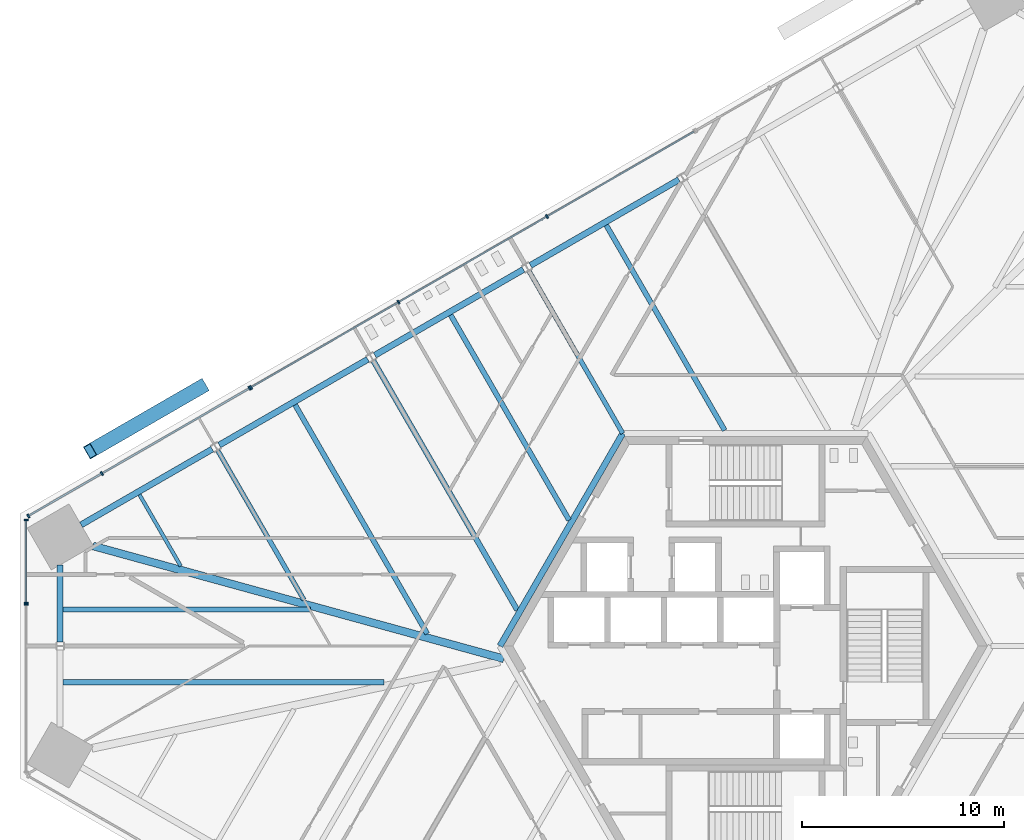
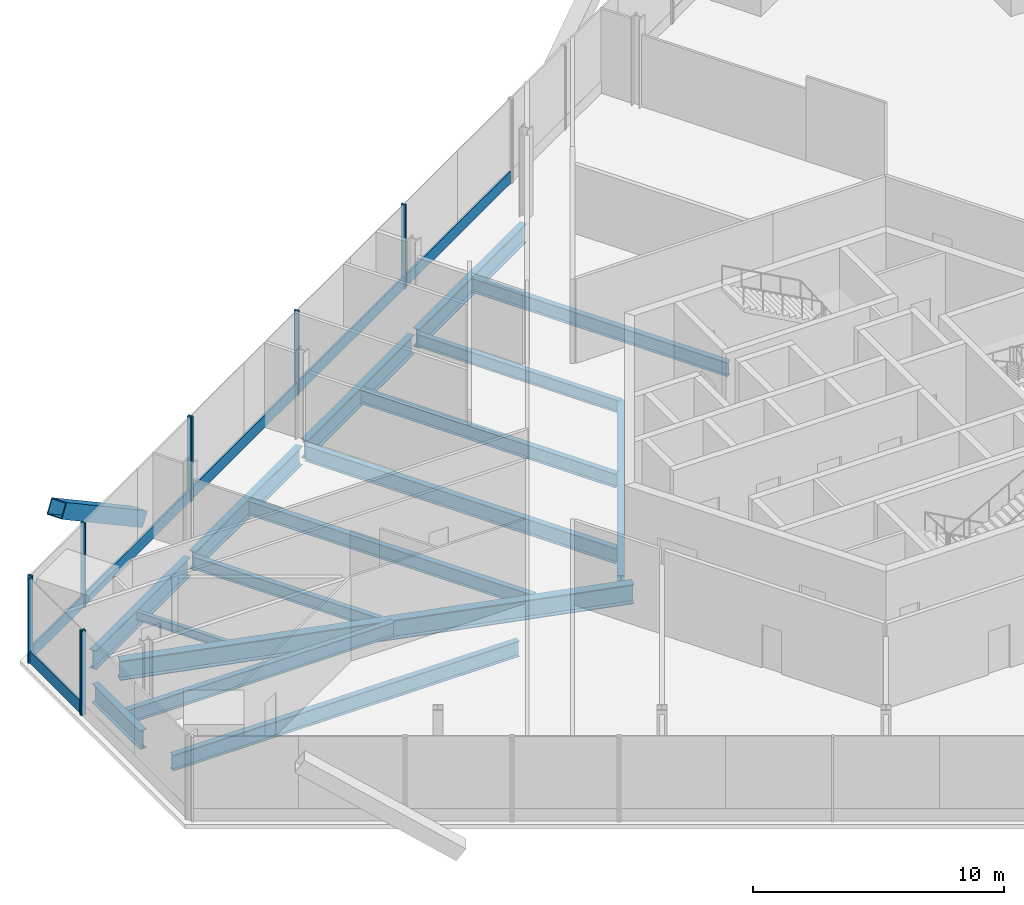
# One storey, part 6 of 17: 16 beams, 16 members, 4 elements without a shape of their own.
"""IFC4 building model written with IfcOpenShell, lengths in metres."""

import ifcopenshell
import ifcopenshell.guid

model = None  # the IFC model being written
_history = None  # IfcOwnerHistory: only IFC2X3 demands one
_inside = {}  # id of a spatial element -> (the spatial element, [elements in it])
_under = {}  # id of a project, library or spatial element -> (it, [spatial elements below it])
_declared = {}  # id of a project -> (the project, [libraries it declares])
_typed = {}  # id of a type object -> (the type object, [elements of that type])
_made_of = {}  # id of a material, layer set ... -> (it, [elements and type objects made of it])


def new_model(schema):
    """Start an empty IFC model of exactly this schema.

    Asked for "IFC4X3", IfcOpenShell would pick the latest addendum, in which some entities
    have other attributes; the version numbers below select the first issue.
    IFC2X3 requires an IfcOwnerHistory on every rooted entity: one is made here for all.
    """
    global model, _history
    if schema == "IFC4X3":
        model = ifcopenshell.file(schema_version=(4, 3, 0, 0))
    else:
        model = ifcopenshell.file(schema=schema)
    _inside.clear()
    _under.clear()
    _declared.clear()
    _typed.clear()
    _made_of.clear()
    _history = None
    if model.schema == "IFC2X3":
        org = make("IfcOrganization", Name="unknown")
        user = make(
            "IfcPersonAndOrganization",
            ThePerson=make("IfcPerson", FamilyName="unknown"),
            TheOrganization=org,
        )
        app = make(
            "IfcApplication",
            ApplicationDeveloper=org,
            Version="unknown",
            ApplicationFullName="unknown",
            ApplicationIdentifier="unknown",
        )
        _history = make(
            "IfcOwnerHistory",
            OwningUser=user,
            OwningApplication=app,
            ChangeAction="ADDED",
            CreationDate=0,
        )
    return model


def make(cls, **values):
    """One entity of the class cls with the attributes given. An attribute that is None is left unset."""
    return model.create_entity(
        cls, **{name: value for name, value in values.items() if value is not None}
    )


def rooted(cls, **values):
    """An entity with a GlobalId (a new one), such as an element, a storey or a relation."""
    return make(cls, GlobalId=ifcopenshell.guid.new(), OwnerHistory=_history, **values)


def si_unit(unit_type, name, prefix=None):
    """IfcSIUnit, for example si_unit("LENGTHUNIT", "METRE", prefix="MILLI")."""
    return make("IfcSIUnit", UnitType=unit_type, Prefix=prefix, Name=name)


def assignment(units):
    """IfcUnitAssignment: the units of a project."""
    return None if units is None else make("IfcUnitAssignment", Units=units)


def point(xyz):
    """IfcCartesianPoint."""
    return None if xyz is None else make("IfcCartesianPoint", Coordinates=xyz)


def direction(xyz):
    """IfcDirection."""
    return None if xyz is None else make("IfcDirection", DirectionRatios=xyz)


def frame(location, z_axis=None, x_axis=None):
    """IfcAxis2Placement3D, a coordinate frame: its origin and axes. An axis left out is left unset."""
    return make(
        "IfcAxis2Placement3D",
        Location=point(location),
        Axis=direction(z_axis),
        RefDirection=direction(x_axis),
    )


def frame_2d(location, x_axis=None):
    """IfcAxis2Placement2D, a coordinate frame in the plane: its origin and x axis."""
    return make(
        "IfcAxis2Placement2D", Location=point(location), RefDirection=direction(x_axis)
    )


def origin():
    """The frame at (0, 0, 0) with its axes left unset."""
    return frame((0.0, 0.0, 0.0))


def origin_2d():
    """The frame at (0, 0) in the plane with its x axis left unset."""
    return frame_2d((0.0, 0.0))


def place(relative_to, where):
    """IfcLocalPlacement: puts the frame where relative to a parent placement (None: the world)."""
    return make(
        "IfcLocalPlacement", PlacementRelTo=relative_to, RelativePlacement=where
    )


def context(
    kind, dimensions, precision=None, world=None, true_north=None, identifier=None
):
    """IfcGeometricRepresentationContext, for example the 3D "Model" context."""
    return make(
        "IfcGeometricRepresentationContext",
        ContextIdentifier=identifier,
        ContextType=kind,
        CoordinateSpaceDimension=dimensions,
        Precision=precision,
        WorldCoordinateSystem=world,
        TrueNorth=true_north,
    )


def subcontext(parent, identifier, kind, view, scale=None):
    """IfcGeometricRepresentationSubContext, for example "Body" below "Model"."""
    return make(
        "IfcGeometricRepresentationSubContext",
        ContextIdentifier=identifier,
        ContextType=kind,
        ParentContext=parent,
        TargetScale=scale,
        TargetView=view,
    )


def project(units=None, contexts=None):
    """IfcProject with its units and contexts."""
    return rooted(
        "IfcProject",
        Name="project",
        RepresentationContexts=contexts,
        UnitsInContext=assignment(units),
    )


def spatial(cls, under=None, at=None, **own):
    """A site, building, storey or space (cls), placed at a placement, below another one or the project."""
    s = rooted(cls, ObjectPlacement=at, **own)
    if under is not None:
        _under.setdefault(under.id(), (under, []))[1].append(s)
    return s


def profile(cls, at=None, kind="AREA", **sizes):
    """A parametric profile (cls). Its sizes go by their IFC names, for example OverallWidth=200.0."""
    return make(cls, ProfileType=kind, Position=at, **sizes)


def rectangle(**sizes):
    """IfcRectangleProfileDef."""
    return profile("IfcRectangleProfileDef", **sizes)


def hollow_rectangle(**sizes):
    """IfcRectangleHollowProfileDef."""
    return profile("IfcRectangleHollowProfileDef", **sizes)


def i_section(**sizes):
    """IfcIShapeProfileDef."""
    return profile("IfcIShapeProfileDef", **sizes)


def extrude(swept, where, along, depth):
    """IfcExtrudedAreaSolid: the profile swept, set in the frame where, extruded along a direction by depth."""
    return make(
        "IfcExtrudedAreaSolid",
        SweptArea=swept,
        Position=where,
        ExtrudedDirection=direction(along),
        Depth=depth,
    )


def shape(context_of_items, identifier, shape_type, items):
    """IfcShapeRepresentation: the items that make up one representation, for example the "Body"."""
    return make(
        "IfcShapeRepresentation",
        ContextOfItems=context_of_items,
        RepresentationIdentifier=identifier,
        RepresentationType=shape_type,
        Items=items,
    )


def source(mapping_origin, context_of_items, identifier, shape_type, items):
    """IfcRepresentationMap: a shape defined once, which mapped items show again and again."""
    return make(
        "IfcRepresentationMap",
        MappingOrigin=mapping_origin,
        MappedRepresentation=shape(context_of_items, identifier, shape_type, items),
    )


def transform(
    local_origin,
    x_axis=None,
    y_axis=None,
    z_axis=None,
    scale=None,
    scale2=None,
    scale3=None,
    uniform=True,
):
    """IfcCartesianTransformationOperator3D, or its non-uniform kind. x_axis, y_axis, z_axis: its Axis1, 2, 3."""
    if uniform:
        return make(
            "IfcCartesianTransformationOperator3D",
            Axis1=direction(x_axis),
            Axis2=direction(y_axis),
            LocalOrigin=point(local_origin),
            Scale=scale,
            Axis3=direction(z_axis),
        )
    return make(
        "IfcCartesianTransformationOperator3DnonUniform",
        Axis1=direction(x_axis),
        Axis2=direction(y_axis),
        LocalOrigin=point(local_origin),
        Scale=scale,
        Axis3=direction(z_axis),
        Scale2=scale2,
        Scale3=scale3,
    )


def mapped(mapping_source, mapping_target):
    """IfcMappedItem: shows the shape of a source again, moved by a transform."""
    return make(
        "IfcMappedItem", MappingSource=mapping_source, MappingTarget=mapping_target
    )


def material(Name=None, Category=None):
    """IfcMaterial."""
    return make("IfcMaterial", Name=Name, Category=Category)


def material_profile(
    of_material, cross_section, Name=None, Category=None, Priority=None
):
    """IfcMaterialProfile: a cross section and its material."""
    return make(
        "IfcMaterialProfile",
        Name=Name,
        Material=of_material,
        Profile=cross_section,
        Priority=Priority,
        Category=Category,
    )


def profile_set(profiles, Name=None, composite=None):
    """IfcMaterialProfileSet."""
    return make(
        "IfcMaterialProfileSet",
        Name=Name,
        MaterialProfiles=profiles,
        CompositeProfile=composite,
    )


def made_of(thing, what):
    """Note that an element or type object is made of a material, layer set ...; save() writes the relation."""
    if what is not None:
        _made_of.setdefault(what.id(), (what, []))[1].append(thing)
    return thing


def type_object(cls, material=None, **own):
    """A type object (cls), such as IfcWallType, which elements share."""
    return made_of(rooted(cls, **own), material)


def element(
    cls,
    number,
    at=None,
    inside=None,
    cuts=None,
    type_object=None,
    material=None,
    context=None,
    identifier="Body",
    shape_type=None,
    held_by="IfcProductDefinitionShape",
    body=None,
    shapes=None,
    **own,
):
    """One element of the class cls, such as IfcWall. Its Tag is "e" and its number.

    at: its placement. inside: the storey or other place that contains it. cuts: it is an
    opening in that element (IfcRelVoidsElement). A single representation is given by context,
    identifier, shape_type and body (its items); several are given by shapes. held_by: the class
    of the entity that holds the representations. save() writes the other relations.
    """
    e = rooted(cls, Tag="e%d" % number, ObjectPlacement=at, **own)
    if body is not None:
        shapes = [shape(context, identifier, shape_type, body)]
    if shapes is not None:
        e.Representation = make(held_by, Representations=shapes)
    if inside is not None:
        _inside.setdefault(inside.id(), (inside, []))[1].append(e)
    if cuts is not None:
        rooted(
            "IfcRelVoidsElement", RelatingBuildingElement=cuts, RelatedOpeningElement=e
        )
    if type_object is not None:
        _typed.setdefault(type_object.id(), (type_object, []))[1].append(e)
    return made_of(e, material)


def aggregate(whole, parts):
    """IfcRelAggregates: a whole, such as a stair, and the parts it consists of."""
    return rooted("IfcRelAggregates", RelatingObject=whole, RelatedObjects=parts)


def save(model, path):
    """Write the relations noted so far, then the file.

    IfcRelAggregates (storeys below a building ...), IfcRelContainedInSpatialStructure (elements
    in a storey), IfcRelDefinesByType, IfcRelAssociatesMaterial and IfcRelDeclares: one each for
    every whole, place, type object, material and project.
    """
    for whole, parts in _under.values():
        aggregate(whole, parts)
    for where, things in _inside.values():
        rooted(
            "IfcRelContainedInSpatialStructure",
            RelatedElements=things,
            RelatingStructure=where,
        )
    for kind, things in _typed.values():
        rooted("IfcRelDefinesByType", RelatedObjects=things, RelatingType=kind)
    for what, things in _made_of.values():
        rooted("IfcRelAssociatesMaterial", RelatedObjects=things, RelatingMaterial=what)
    for by, libraries in _declared.values():
        rooted("IfcRelDeclares", RelatingContext=by, RelatedDefinitions=libraries)
    model.write(path)


model = new_model("IFC4")

# Units and contexts
model_context = context("Model", 3, precision=1e-05, world=origin(), true_north=direction((0.0, 1.0)))
body_context = subcontext(model_context, "Body", "Model", "MODEL_VIEW")
ifc_project = project(units=[si_unit("LENGTHUNIT", "METRE"), si_unit("AREAUNIT", "SQUARE_METRE"), si_unit("VOLUMEUNIT", "CUBIC_METRE"), si_unit("PLANEANGLEUNIT", "RADIAN"), si_unit("MASSUNIT", "GRAM", prefix="KILO")], contexts=[model_context])

# Site, building, storey
site_placement = place(None, origin())
site = spatial("IfcSite", under=ifc_project, at=site_placement, CompositionType="ELEMENT")
building_placement = place(site_placement, origin())
building = spatial("IfcBuilding", under=site, at=building_placement, Name="Triune Harvest Tower", CompositionType="ELEMENT")
storey_placement = place(building_placement, frame((0.0, 0.0, 46.10009765625)))
storey = spatial("IfcBuildingStorey", under=building, at=storey_placement, Name="L10", CompositionType="ELEMENT", Elevation=46.10009765625)

# Beams
ifc_material_1 = material(Name="Steel ASTM A992 Gr 50", Category="steel")
ifc_material_profile_1 = material_profile(ifc_material_1, i_section(OverallWidth=0.3046875, OverallDepth=0.914306640625, WebThickness=0.0166015625, FlangeThickness=0.02587890625, at=origin_2d()), Name="W36x160")
ifc_profile_set_1 = profile_set([ifc_material_profile_1], Name="Steel ASTM A992 Gr 50")
beam_type_1 = type_object("IfcBeamType", Name="CG-1 Core ring girder W36x160", PredefinedType="BEAM", material=ifc_profile_set_1)
shared_shape_1 = source(origin(), body_context, "Body", "SweptSolid", [
    extrude(i_section(OverallWidth=0.3046875, OverallDepth=0.914306640625, WebThickness=0.0166015625, FlangeThickness=0.02587890625, at=origin_2d()), origin(), (0.0, 0.0, 1.0), 12.176025390625),
])
beam_1_placement = place(storey_placement, frame((-6.087890625, 10.544677734375, -0.6572265625), z_axis=(-0.5000099932, -0.866019634131, 0.0), x_axis=(0.866019634131, -0.5000099932, 0.0)))
element("IfcBeam", 1, at=beam_1_placement, inside=storey, type_object=beam_type_1, Name="beam/L10/CG3", PredefinedType="BEAM", context=body_context, shape_type="MappedRepresentation", body=[
    mapped(shared_shape_1, transform((0.0, 0.0, 0.0), scale=1.0)),
])
ifc_material_2 = material(Name="Steel ASTM A992 Gr 50", Category="steel")
ifc_material_profile_2 = material_profile(ifc_material_2, i_section(OverallWidth=0.383544921875, OverallDepth=0.9423828125, WebThickness=0.022216796875, FlangeThickness=0.039794921875, at=origin_2d()), Name="W36x232")
ifc_profile_set_2 = profile_set([ifc_material_profile_2], Name="Steel ASTM A992 Gr 50")
beam_type_2 = type_object("IfcBeamType", Name="HG-1 Hip girder W36x232", PredefinedType="BEAM", material=ifc_profile_set_2)
shared_shape_2 = source(origin(), body_context, "Body", "SweptSolid", [
    extrude(i_section(OverallWidth=0.383544921875, OverallDepth=0.9423828125, WebThickness=0.022216796875, FlangeThickness=0.039794921875, at=origin_2d()), origin(), (0.0, 0.0, 1.0), 21.13232421875),
])
beam_2_placement = place(storey_placement, frame((-32.3623046875, 4.963134765625, -0.67138671875), z_axis=(0.964269976316, -0.264921521918, 0.0), x_axis=(0.264921521918, 0.964269976316, 0.0)))
element("IfcBeam", 2, at=beam_2_placement, inside=storey, type_object=beam_type_2, Name="beam/L10/HG4", PredefinedType="BEAM", context=body_context, shape_type="MappedRepresentation", body=[
    mapped(shared_shape_2, transform((0.0, 0.0, 0.0), scale=1.0)),
])
ifc_material_3 = material(Name="Steel ASTM A992 Gr 50", Category="steel")
ifc_material_profile_3 = material_profile(ifc_material_3, i_section(OverallWidth=0.2666015625, OverallDepth=0.7568359375, WebThickness=0.013916015625, FlangeThickness=0.019287109375, at=origin_2d()), Name="W30x108")
ifc_profile_set_3 = profile_set([ifc_material_profile_3], Name="Steel ASTM A992 Gr 50")
beam_type_3 = type_object("IfcBeamType", Name="JT-5 Floor joist W30x108", PredefinedType="JOIST", material=ifc_profile_set_3)
shared_shape_3 = source(origin(), body_context, "Body", "SweptSolid", [
    extrude(i_section(OverallWidth=0.2666015625, OverallDepth=0.7568359375, WebThickness=0.013916015625, FlangeThickness=0.019287109375, at=origin_2d()), origin(), (0.0, 0.0, 1.0), 14.2685546875),
])
beam_3_placement = place(storey_placement, frame((-18.454345703125, 14.14404296875, -0.57861328125), z_axis=(0.499987083308, -0.866032861112, 0.0), x_axis=(0.866032861112, 0.499987083308, 0.0)))
element("IfcBeam", 3, at=beam_3_placement, inside=storey, type_object=beam_type_3, Name="beam/L10/JT21", PredefinedType="JOIST", context=body_context, shape_type="MappedRepresentation", body=[
    mapped(shared_shape_3, transform((0.0, 0.0, 0.0), scale=1.0)),
])
ifc_material_4 = material(Name="Steel ASTM A992 Gr 50", Category="steel")
ifc_material_profile_4 = material_profile(ifc_material_4, i_section(OverallWidth=0.22900390625, OverallDepth=0.612060546875, WebThickness=0.011962890625, FlangeThickness=0.01953125, at=origin_2d()), Name="W24x84")
ifc_profile_set_4 = profile_set([ifc_material_profile_4], Name="Steel ASTM A992 Gr 50")
beam_type_4 = type_object("IfcBeamType", Name="JT-3 Floor joist W24x84", PredefinedType="JOIST", material=ifc_profile_set_4)
shared_shape_4 = source(origin(), body_context, "Body", "SweptSolid", [
    extrude(i_section(OverallWidth=0.22900390625, OverallDepth=0.612060546875, WebThickness=0.011962890625, FlangeThickness=0.01953125, at=origin_2d()), origin(), (0.0, 0.0, 1.0), 8.54736328125),
])
beam_4_placement = place(storey_placement, frame((-26.170654296875, 9.68896484375, -0.506103515625), z_axis=(0.500006795031, -0.866021480636, 0.0), x_axis=(0.866021480636, 0.500006795031, 0.0)))
element("IfcBeam", 4, at=beam_4_placement, inside=storey, type_object=beam_type_4, Name="beam/L10/JT23", PredefinedType="JOIST", context=body_context, shape_type="MappedRepresentation", body=[
    mapped(shared_shape_4, transform((0.0, 0.0, 0.0), scale=1.0)),
])
shared_shape_5 = source(origin(), body_context, "Body", "SweptSolid", [
    extrude(i_section(OverallWidth=0.22900390625, OverallDepth=0.612060546875, WebThickness=0.011962890625, FlangeThickness=0.01953125, at=origin_2d()), origin(), (0.0, 0.0, 1.0), 9.300537109375),
])
beam_5_placement = place(storey_placement, frame((-10.738037109375, 18.59912109375, -0.506103515625), z_axis=(0.49999285859, -0.86602952684, 0.0), x_axis=(0.86602952684, 0.49999285859, 0.0)))
element("IfcBeam", 5, at=beam_5_placement, inside=storey, type_object=beam_type_4, Name="beam/L10/JT19", PredefinedType="JOIST", context=body_context, shape_type="MappedRepresentation", body=[
    mapped(shared_shape_5, transform((0.0, 0.0, 0.0), scale=1.0)),
])
ifc_material_5 = material(Name="Steel ASTM A992 Gr 50", Category="steel")
ifc_material_profile_5 = material_profile(ifc_material_5, i_section(OverallWidth=0.3046875, OverallDepth=0.914306640625, WebThickness=0.0166015625, FlangeThickness=0.02587890625, at=origin_2d()), Name="W36x160")
ifc_profile_set_5 = profile_set([ifc_material_profile_5], Name="Steel ASTM A992 Gr 50")
beam_type_5 = type_object("IfcBeamType", Name="SB-1 Spandrel beam W36x160", PredefinedType="SPANDREL", material=ifc_profile_set_5)
shared_shape_6 = source(origin(), body_context, "Body", "SweptSolid", [
    extrude(i_section(OverallWidth=0.3046875, OverallDepth=0.914306640625, WebThickness=0.0166015625, FlangeThickness=0.02587890625, at=origin_2d()), origin(), (0.0, 0.0, 1.0), 7.508056640625),
])
beam_6_placement = place(storey_placement, frame((-26.447265625, 9.763916015625, -0.6572265625), z_axis=(-0.866033425553, -0.499986105632, 0.0), x_axis=(0.499986105632, -0.866033425553, 0.0)))
element("IfcBeam", 6, at=beam_6_placement, inside=storey, type_object=beam_type_5, Name="beam/L10/SB14", PredefinedType="SPANDREL", context=body_context, shape_type="MappedRepresentation", body=[
    mapped(shared_shape_6, transform((0.0, 0.0, 0.0), scale=1.0)),
])
shared_shape_7 = source(origin(), body_context, "Body", "SweptSolid", [
    extrude(i_section(OverallWidth=0.3046875, OverallDepth=0.914306640625, WebThickness=0.0166015625, FlangeThickness=0.02587890625, at=origin_2d()), origin(), (0.0, 0.0, 1.0), 8.506103515625),
])
for number, where, z_axis, x_axis, name in (
    (7, (-3.29833984375, 23.12890625, -0.6572265625), (-0.866030246746, -0.49999161165, 0.0), (0.49999161165, -0.866030246746, 0.0), "beam/L10/SB11"),
    (8, (-11.0146484375, 18.674072265625, -0.6572265625), (-0.866017818397, -0.500013138047, 0.0), (0.500013138047, -0.866017818397, 0.0), "beam/L10/SB12"),
    (9, (-18.73095703125, 14.218994140625, -0.6572265625), (-0.866030246746, -0.49999161165, 0.0), (0.49999161165, -0.866030246746, 0.0), "beam/L10/SB13"),
):
    element("IfcBeam", number, at=place(storey_placement, frame(where, z_axis=z_axis, x_axis=x_axis)), inside=storey, type_object=beam_type_5, Name=name, PredefinedType="SPANDREL", context=body_context, shape_type="MappedRepresentation", body=[
        mapped(shared_shape_7, transform((0.0, 0.0, 0.0), scale=1.0)),
    ])
shared_shape_8 = source(origin(), body_context, "Body", "SweptSolid", [
    extrude(i_section(OverallWidth=0.3046875, OverallDepth=0.914306640625, WebThickness=0.0166015625, FlangeThickness=0.02587890625, at=origin_2d()), origin(), (0.0, 0.0, 1.0), 3.822509765625),
])
beam_7_placement = place(storey_placement, frame((-33.988525390625, 4.0244140625, -0.6572265625), z_axis=(0.0, -1.0, 0.0), x_axis=(1.0, 0.0, 0.0)))
element("IfcBeam", 10, at=beam_7_placement, inside=storey, type_object=beam_type_5, Name="beam/L10/SB15", PredefinedType="SPANDREL", context=body_context, shape_type="MappedRepresentation", body=[
    mapped(shared_shape_8, transform((0.0, 0.0, 0.0), scale=1.0)),
])
ifc_material_6 = material(Name="Steel ASTM A992 Gr 50", Category="steel")
ifc_material_profile_6 = material_profile(ifc_material_6, i_section(OverallWidth=0.180908203125, OverallDepth=0.41650390625, WebThickness=0.010986328125, FlangeThickness=0.01806640625, at=origin_2d()), Name="W16x57")
ifc_profile_set_6 = profile_set([ifc_material_profile_6], Name="Steel ASTM A992 Gr 50")
beam_type_6 = type_object("IfcBeamType", Name="JT-1 Floor joist W16x57", PredefinedType="JOIST", material=ifc_profile_set_6)
shared_shape_9 = source(origin(), body_context, "Body", "SweptSolid", [
    extrude(i_section(OverallWidth=0.180908203125, OverallDepth=0.41650390625, WebThickness=0.010986328125, FlangeThickness=0.01806640625, at=origin_2d()), origin(), (0.0, 0.0, 1.0), 4.08642578125),
])
beam_8_placement = place(storey_placement, frame((-30.05419921875, 7.505615234375, -0.408447265625), z_axis=(0.49998792433, -0.866032375563, 0.0), x_axis=(0.866032375563, 0.49998792433, 0.0)))
element("IfcBeam", 11, at=beam_8_placement, inside=storey, type_object=beam_type_6, Name="beam/L10/JT24", PredefinedType="JOIST", context=body_context, shape_type="MappedRepresentation", body=[
    mapped(shared_shape_9, transform((0.0, 0.0, 0.0), scale=1.0)),
])
ifc_material_7 = material(Name="Steel ASTM A992 Gr 50", Category="steel")
ifc_material_profile_7 = material_profile(ifc_material_7, i_section(OverallWidth=0.253662109375, OverallDepth=0.683349609375, WebThickness=0.012451171875, FlangeThickness=0.01904296875, at=origin_2d()), Name="W27x94")
ifc_profile_set_7 = profile_set([ifc_material_profile_7], Name="Steel ASTM A992 Gr 50")
beam_type_7 = type_object("IfcBeamType", Name="JT-4 Floor joist W27x94", PredefinedType="JOIST", material=ifc_profile_set_7)
shared_shape_10 = source(origin(), body_context, "Body", "SweptSolid", [
    extrude(i_section(OverallWidth=0.253662109375, OverallDepth=0.683349609375, WebThickness=0.012451171875, FlangeThickness=0.01904296875, at=origin_2d()), origin(), (0.0, 0.0, 1.0), 12.2509765625),
])
beam_9_placement = place(storey_placement, frame((-33.836181640625, 1.80322265625, -0.541748046875), z_axis=(1.0, 0.0, 0.0), x_axis=(0.0, 1.0, 0.0)))
element("IfcBeam", 12, at=beam_9_placement, inside=storey, type_object=beam_type_7, Name="beam/L10/JT25", PredefinedType="JOIST", context=body_context, shape_type="MappedRepresentation", body=[
    mapped(shared_shape_10, transform((0.0, 0.0, 0.0), scale=1.0)),
])
shared_shape_11 = source(origin(), body_context, "Body", "SweptSolid", [
    extrude(i_section(OverallWidth=0.2666015625, OverallDepth=0.7568359375, WebThickness=0.013916015625, FlangeThickness=0.019287109375, at=origin_2d()), origin(), (0.0, 0.0, 1.0), 15.90771484375),
])
beam_10_placement = place(storey_placement, frame((-33.836181640625, -1.80322265625, -0.57861328125), z_axis=(1.0, 0.0, 0.0), x_axis=(0.0, 1.0, 0.0)))
element("IfcBeam", 13, at=beam_10_placement, inside=storey, type_object=beam_type_3, Name="beam/L10/JT26", PredefinedType="JOIST", context=body_context, shape_type="MappedRepresentation", body=[
    mapped(shared_shape_11, transform((0.0, 0.0, 0.0), scale=1.0)),
])
shared_shape_12 = source(origin(), body_context, "Body", "SweptSolid", [
    extrude(i_section(OverallWidth=0.253662109375, OverallDepth=0.683349609375, WebThickness=0.012451171875, FlangeThickness=0.01904296875, at=origin_2d()), origin(), (0.0, 0.0, 1.0), 11.74755859375),
])
beam_11_placement = place(storey_placement, frame((-6.905517578125, 20.87060546875, -0.541748046875), z_axis=(0.500003693016, -0.86602327161, 0.0), x_axis=(0.86602327161, 0.500003693016, 0.0)))
element("IfcBeam", 14, at=beam_11_placement, inside=storey, type_object=beam_type_7, Name="beam/L10/JT18", PredefinedType="JOIST", context=body_context, shape_type="MappedRepresentation", body=[
    mapped(shared_shape_12, transform((0.0, 0.0, 0.0), scale=1.0)),
])
shared_shape_13 = source(origin(), body_context, "Body", "SweptSolid", [
    extrude(i_section(OverallWidth=0.253662109375, OverallDepth=0.683349609375, WebThickness=0.012451171875, FlangeThickness=0.01904296875, at=origin_2d()), origin(), (0.0, 0.0, 1.0), 11.7470703125),
])
beam_12_placement = place(storey_placement, frame((-14.62158203125, 16.41552734375, -0.541748046875), z_axis=(0.49999710518, -0.866027075103, 0.0), x_axis=(0.866027075103, 0.49999710518, 0.0)))
element("IfcBeam", 15, at=beam_12_placement, inside=storey, type_object=beam_type_7, Name="beam/L10/JT20", PredefinedType="JOIST", context=body_context, shape_type="MappedRepresentation", body=[
    mapped(shared_shape_13, transform((0.0, 0.0, 0.0), scale=1.0)),
])
shared_shape_14 = source(origin(), body_context, "Body", "SweptSolid", [
    extrude(i_section(OverallWidth=0.253662109375, OverallDepth=0.683349609375, WebThickness=0.012451171875, FlangeThickness=0.01904296875, at=origin_2d()), origin(), (0.0, 0.0, 1.0), 13.10986328125),
])
beam_13_placement = place(storey_placement, frame((-22.337890625, 11.96044921875, -0.541748046875), z_axis=(0.499998646344, -0.866026185317, 0.0), x_axis=(0.866026185317, 0.499998646344, 0.0)))
element("IfcBeam", 16, at=beam_13_placement, inside=storey, type_object=beam_type_7, Name="beam/L10/JT22", PredefinedType="JOIST", context=body_context, shape_type="MappedRepresentation", body=[
    mapped(shared_shape_14, transform((0.0, 0.0, 0.0), scale=1.0)),
])

# Member
ifc_material_8 = material(Name="Steel ASTM A572 Gr 50", Category="steel")
ifc_material_profile_8 = material_profile(ifc_material_8, hollow_rectangle(XDim=0.699951171875, YDim=0.699951171875, WallThickness=0.0400390625, at=origin_2d()), Name="Box 700x700x40")
ifc_profile_set_8 = profile_set([ifc_material_profile_8], Name="Steel ASTM A572 Gr 50")
member_type_1 = type_object("IfcMemberType", Name="BR-1 Brace Box 700x700x40", PredefinedType="BRACE", material=ifc_profile_set_8)
shared_shape_15 = source(origin(), body_context, "Body", "SweptSolid", [
    extrude(hollow_rectangle(XDim=0.699951171875, YDim=0.699951171875, WallThickness=0.0400390625, at=origin_2d()), origin(), (0.0, 0.0, 1.0), 7.728271484375),
])
member_1_placement = place(storey_placement, frame((-26.941162109375, 12.8759765625, 0.0), z_axis=(-0.71960143294, -0.415479083631, 0.55637299429), x_axis=(0.500015346484, -0.866016543306, 0.0)))
element("IfcMember", 17, at=member_1_placement, inside=storey, type_object=member_type_1, Name="brace/B1-F3/d1/8", PredefinedType="BRACE", context=body_context, shape_type="MappedRepresentation", body=[
    mapped(shared_shape_15, transform((0.0, 0.0, 0.0), scale=1.0)),
])

# Curtain wall, members
ifc_material_9 = material(Name="Aluminium bronze anodised", Category="aluminium")
curtain_wall_type_1 = type_object("IfcCurtainWallType", Name="CW-3 Farm floor curtain wall", PredefinedType="NOTDEFINED", material=ifc_material_9)
curtain_wall_1_placement = place(storey_placement, origin())
curtain_wall_1 = element("IfcCurtainWall", 18, at=curtain_wall_1_placement, inside=storey, type_object=curtain_wall_type_1, Name="CW-3 B1-F3 L10 run 2001")
ifc_material_10 = material(Name="Aluminium bronze anodised", Category="aluminium")
ifc_material_profile_9 = material_profile(ifc_material_10, rectangle(XDim=0.199951171875, YDim=0.080078125, at=origin_2d()), Name="MU-3 mullion 80 x 200")
ifc_profile_set_9 = profile_set([ifc_material_profile_9], Name="Aluminium bronze anodised")
member_type_2 = type_object("IfcMemberType", Name="MU-3 mullion 80 x 200", PredefinedType="MULLION", material=ifc_profile_set_9)
shared_shape_16 = source(origin(), body_context, "Body", "SweptSolid", [
    extrude(rectangle(XDim=0.199951171875, YDim=0.080078125, at=origin_2d()), origin(), (0.0, 0.0, 1.0), 4.099853515625),
])
member_2_placement = place(storey_placement, frame((-9.845947265625, 21.30224609375, 0.0), z_axis=(0.0, 0.0, 1.0), x_axis=(0.499999422532, -0.866025737186, 0.0)))
member_2 = element("IfcMember", 19, at=member_2_placement, type_object=member_type_2, Name="CW-3 mullion B1-F3 2001.3", PredefinedType="MULLION", context=body_context, shape_type="MappedRepresentation", body=[
    mapped(shared_shape_16, transform((0.0, 0.0, 0.0), scale=1.0)),
])
member_3_placement = place(storey_placement, frame((-17.205078125, 17.0537109375, 0.0), z_axis=(0.0, 0.0, 1.0), x_axis=(0.499999422532, -0.866025737186, 0.0)))
member_3 = element("IfcMember", 20, at=member_3_placement, type_object=member_type_2, Name="CW-3 mullion B1-F3 2001.5", PredefinedType="MULLION", context=body_context, shape_type="MappedRepresentation", body=[
    mapped(shared_shape_16, transform((0.0, 0.0, 0.0), scale=1.0)),
])
member_4_placement = place(storey_placement, frame((-24.529296875, 12.824951171875, 0.0), z_axis=(0.0, 0.0, 1.0), x_axis=(0.499999422532, -0.866025737186, 0.0)))
member_4 = element("IfcMember", 21, at=member_4_placement, type_object=member_type_2, Name="CW-3 mullion B1-F3 2001.7", PredefinedType="MULLION", context=body_context, shape_type="MappedRepresentation", body=[
    mapped(shared_shape_16, transform((0.0, 0.0, 0.0), scale=1.0)),
])

ifc_material_11 = material(Name="Aluminium bronze anodised", Category="aluminium")
curtain_wall_type_2 = type_object("IfcCurtainWallType", Name="CW-8 Farm floor curtain wall with insulated spandrel infill", PredefinedType="NOTDEFINED", material=ifc_material_11)
curtain_wall_2_placement = place(storey_placement, origin())
curtain_wall_2 = element("IfcCurtainWall", 22, at=curtain_wall_2_placement, inside=storey, type_object=curtain_wall_type_2, Name="CW-8 B1-F3 L10 run 3001")
member_5_placement = place(storey_placement, frame((-24.5986328125, 12.784912109375, 0.0), z_axis=(0.0, 0.0, 1.0), x_axis=(0.499999161299, -0.866025888008, 0.0)))
member_5 = element("IfcMember", 23, at=member_5_placement, type_object=member_type_2, Name="CW-8 mullion B1-F3 3001.1", PredefinedType="MULLION", context=body_context, shape_type="MappedRepresentation", body=[
    mapped(shared_shape_16, transform((0.0, 0.0, 0.0), scale=1.0)),
])
member_6_placement = place(storey_placement, frame((-31.923095703125, 8.55615234375, 0.0), z_axis=(0.0, 0.0, 1.0), x_axis=(0.499999161299, -0.866025888008, 0.0)))
member_6 = element("IfcMember", 24, at=member_6_placement, type_object=member_type_2, Name="CW-8 mullion B1-F3 3001.3", PredefinedType="MULLION", context=body_context, shape_type="MappedRepresentation", body=[
    mapped(shared_shape_16, transform((0.0, 0.0, 0.0), scale=1.0)),
])
member_7_placement = place(storey_placement, frame((-35.56787109375, 6.451904296875, 0.0), z_axis=(0.0, 0.0, 1.0), x_axis=(0.499999161299, -0.866025888008, 0.0)))
member_7 = element("IfcMember", 25, at=member_7_placement, type_object=member_type_2, Name="CW-8 mullion B1-F3 3001.4", PredefinedType="MULLION", context=body_context, shape_type="MappedRepresentation", body=[
    mapped(shared_shape_16, transform((0.0, 0.0, 0.0), scale=1.0)),
])

curtain_wall_3_placement = place(storey_placement, origin())
curtain_wall_3 = element("IfcCurtainWall", 26, at=curtain_wall_3_placement, inside=storey, type_object=curtain_wall_type_1, Name="CW-3 B1-F4 L10 run 1")
member_8_placement = place(storey_placement, frame((-35.680419921875, 6.2568359375, 0.0), z_axis=(0.0, 0.0, 1.0), x_axis=(1.0, 0.0, 0.0)))
member_8 = element("IfcMember", 27, at=member_8_placement, type_object=member_type_2, Name="CW-3 mullion B1-F4 1.1", PredefinedType="MULLION", context=body_context, shape_type="MappedRepresentation", body=[
    mapped(shared_shape_16, transform((0.0, 0.0, 0.0), scale=1.0)),
])
member_9_placement = place(storey_placement, frame((-35.680419921875, 2.138916015625, 0.0), z_axis=(0.0, 0.0, 1.0), x_axis=(1.0, 0.0, 0.0)))
member_9 = element("IfcMember", 28, at=member_9_placement, type_object=member_type_2, Name="CW-3 mullion B1-F4 1.2", PredefinedType="MULLION", context=body_context, shape_type="MappedRepresentation", body=[
    mapped(shared_shape_16, transform((0.0, 0.0, 0.0), scale=1.0)),
])

# Curtain wall, member
curtain_wall_4_placement = place(storey_placement, origin())
curtain_wall_4 = element("IfcCurtainWall", 29, at=curtain_wall_4_placement, inside=storey, type_object=curtain_wall_type_2, Name="CW-8 B1-F4 L10 run 1001")
member_10_placement = place(storey_placement, frame((-35.680419921875, 2.058837890625, 0.0), z_axis=(0.0, 0.0, 1.0), x_axis=(1.0, 0.0, 0.0)))
member_10 = element("IfcMember", 30, at=member_10_placement, type_object=member_type_2, Name="CW-8 mullion B1-F4 1001.1", PredefinedType="MULLION", context=body_context, shape_type="MappedRepresentation", body=[
    mapped(shared_shape_16, transform((0.0, 0.0, 0.0), scale=1.0)),
])
aggregate(curtain_wall_4, [member_10])

# Member
ifc_material_12 = material(Name="Aluminium bronze anodised", Category="aluminium")
ifc_material_profile_10 = material_profile(ifc_material_12, rectangle(XDim=0.090087890625, YDim=0.60009765625, at=origin_2d()), Name="TR-3 transom 90 x 600")
ifc_profile_set_10 = profile_set([ifc_material_profile_10], Name="Aluminium bronze anodised")
member_type_3 = type_object("IfcMemberType", Name="TR-3 transom 90 x 600", PredefinedType="USERDEFINED", material=ifc_profile_set_10)
shared_shape_17 = source(origin(), body_context, "Body", "SweptSolid", [
    extrude(rectangle(XDim=0.090087890625, YDim=0.60009765625, at=origin_2d()), origin(), (0.0, 0.0, 1.0), 8.37744140625),
])
member_11_placement = place(storey_placement, frame((-2.55615234375, 25.510986328125, 0.2998046875), z_axis=(-0.866026892193, -0.499997421992, 0.0), x_axis=(0.499997421992, -0.866026892193, 0.0)))
member_11 = element("IfcMember", 31, at=member_11_placement, type_object=member_type_3, Name="CW-3 transom B1-F3 2001.1", ObjectType="TRANSOM", PredefinedType="USERDEFINED", context=body_context, shape_type="MappedRepresentation", body=[
    mapped(shared_shape_17, transform((0.0, 0.0, 0.0), scale=1.0)),
])

member_12_placement = place(storey_placement, frame((-17.239501953125, 17.03369140625, 0.2998046875), z_axis=(-0.866026892193, -0.499997421992, 0.0), x_axis=(0.499997421992, -0.866026892193, 0.0)))
member_12 = element("IfcMember", 32, at=member_12_placement, type_object=member_type_3, Name="CW-3 transom B1-F3 2001.3", ObjectType="TRANSOM", PredefinedType="USERDEFINED", context=body_context, shape_type="MappedRepresentation", body=[
    mapped(shared_shape_17, transform((0.0, 0.0, 0.0), scale=1.0)),
])

member_13_placement = place(storey_placement, frame((-24.63330078125, 12.764892578125, 0.2998046875), z_axis=(-0.866026892193, -0.499997421992, 0.0), x_axis=(0.499997421992, -0.866026892193, 0.0)))
member_13 = element("IfcMember", 33, at=member_13_placement, type_object=member_type_3, Name="CW-8 transom B1-F3 3001.1", ObjectType="TRANSOM", PredefinedType="USERDEFINED", context=body_context, shape_type="MappedRepresentation", body=[
    mapped(shared_shape_17, transform((0.0, 0.0, 0.0), scale=1.0)),
])

shared_shape_18 = source(origin(), body_context, "Body", "SweptSolid", [
    extrude(rectangle(XDim=0.090087890625, YDim=0.60009765625, at=origin_2d()), origin(), (0.0, 0.0, 1.0), 8.41748046875),
])
member_14_placement = place(storey_placement, frame((-9.880615234375, 21.282470703125, 0.2998046875), z_axis=(-0.866026680883, -0.499997787995, 0.0), x_axis=(0.499997787995, -0.866026680883, 0.0)))
member_14 = element("IfcMember", 34, at=member_14_placement, type_object=member_type_3, Name="CW-3 transom B1-F3 2001.2", ObjectType="TRANSOM", PredefinedType="USERDEFINED", context=body_context, shape_type="MappedRepresentation", body=[
    mapped(shared_shape_18, transform((0.0, 0.0, 0.0), scale=1.0)),
])

aggregate(curtain_wall_1, [member_2, member_3, member_4, member_11, member_14, member_12])

shared_shape_19 = source(origin(), body_context, "Body", "SweptSolid", [
    extrude(rectangle(XDim=0.090087890625, YDim=0.60009765625, at=origin_2d()), origin(), (0.0, 0.0, 1.0), 4.128662109375),
])
member_15_placement = place(storey_placement, frame((-31.957763671875, 8.5361328125, 0.2998046875), z_axis=(-0.86600734348, -0.500031280059, 0.0), x_axis=(0.500031280059, -0.86600734348, 0.0)))
member_15 = element("IfcMember", 35, at=member_15_placement, type_object=member_type_3, Name="CW-8 transom B1-F3 3001.2", ObjectType="TRANSOM", PredefinedType="USERDEFINED", context=body_context, shape_type="MappedRepresentation", body=[
    mapped(shared_shape_19, transform((0.0, 0.0, 0.0), scale=1.0)),
])

aggregate(curtain_wall_2, [member_5, member_6, member_7, member_13, member_15])

shared_shape_20 = source(origin(), body_context, "Body", "SweptSolid", [
    extrude(rectangle(XDim=0.090087890625, YDim=0.60009765625, at=origin_2d()), origin(), (0.0, 0.0, 1.0), 4.037841796875),
])
member_16_placement = place(storey_placement, frame((-35.680419921875, 6.216796875, 0.2998046875), z_axis=(0.0, -1.0, 0.0), x_axis=(1.0, 0.0, 0.0)))
member_16 = element("IfcMember", 36, at=member_16_placement, type_object=member_type_3, Name="CW-3 transom B1-F4 1.1", ObjectType="TRANSOM", PredefinedType="USERDEFINED", context=body_context, shape_type="MappedRepresentation", body=[
    mapped(shared_shape_20, transform((0.0, 0.0, 0.0), scale=1.0)),
])

aggregate(curtain_wall_3, [member_8, member_9, member_16])

save(model, "model.ifc")
